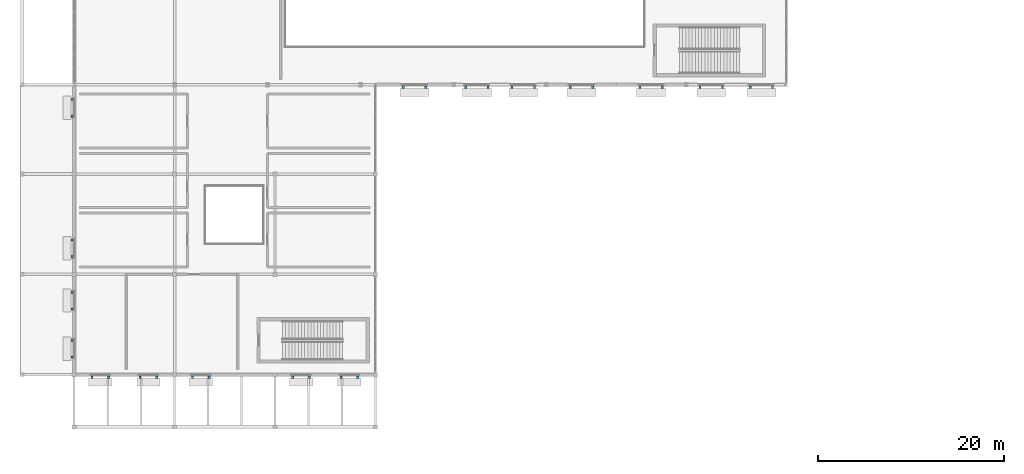
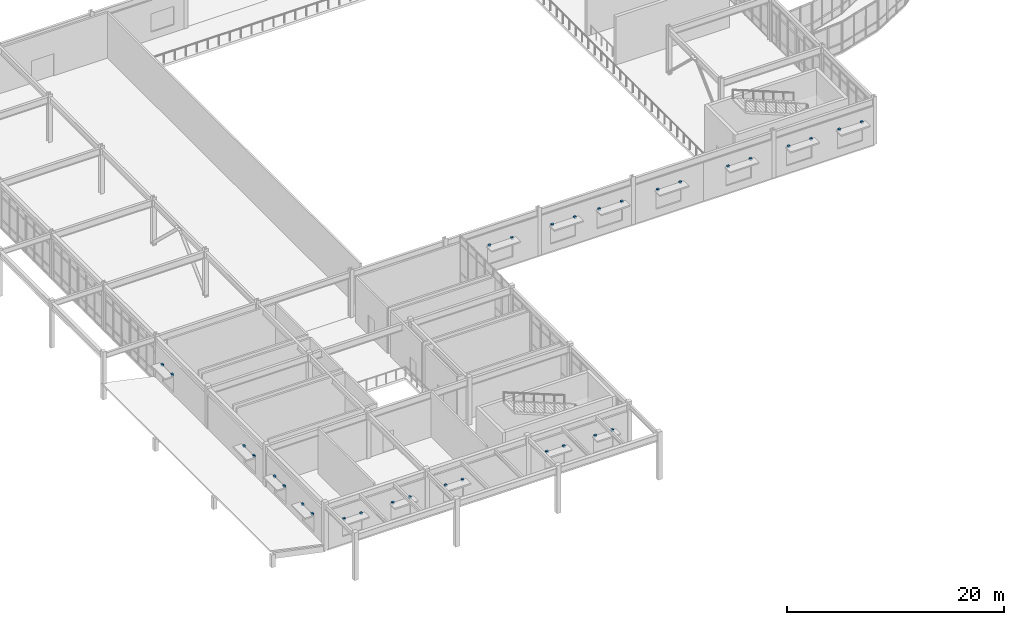
# One storey, part 58 of 72: 32 discrete accessories.
"""IFC4 building model written with IfcOpenShell, lengths in metres."""

from ifc_helpers import new_model, si_unit, direction, frame, origin, origin_2d, place, context, subcontext, project, spatial, rectangle, extrude, material, type_object, element, save


model = new_model("IFC4")

# Units and contexts
model_context = context("Model", 3, precision=1e-05, world=origin(), true_north=direction((0.0, 1.0)))
body_context = subcontext(model_context, "Body", "Model", "MODEL_VIEW")
ifc_project = project(units=[si_unit("LENGTHUNIT", "METRE"), si_unit("AREAUNIT", "SQUARE_METRE"), si_unit("VOLUMEUNIT", "CUBIC_METRE"), si_unit("PLANEANGLEUNIT", "RADIAN"), si_unit("MASSUNIT", "GRAM", prefix="KILO")], contexts=[model_context])

# Site, building, storey
site_placement = place(None, origin())
site = spatial("IfcSite", under=ifc_project, at=site_placement, CompositionType="ELEMENT")
building_placement = place(site_placement, origin())
building = spatial("IfcBuilding", under=site, at=building_placement, Name="Veldera Park Congress Hotel", CompositionType="ELEMENT")
storey_placement = place(building_placement, frame((0.0, 0.0, 5.39990234375)))
storey = spatial("IfcBuildingStorey", under=building, at=storey_placement, Name="L01", CompositionType="ELEMENT", Elevation=5.39990234375)

# Discrete accessories
ifc_material = material(Name="Steel ASTM A992 Gr.50", Category="steel")
discrete_accessory_type = type_object("IfcDiscreteAccessoryType", Name="ACC-BRK160", PredefinedType="BRACKET", material=ifc_material)
for number, where, z_axis, x_axis, name in (
    (1, (-42.8037109375, -21.27001953125, 2.97021484375), (0.0, 0.0, 1.0), (1.0, 0.0, 0.0), "Shading Steel Outrigger Bracket 32L"),
    (2, (-40.40380859375, -21.27001953125, 2.97021484375), (0.0, 0.0, 1.0), (1.0, 0.0, 0.0), "Shading Steel Outrigger Bracket 32R"),
    (3, (-36.09619140625, -21.27001953125, 2.97021484375), (0.0, 0.0, 1.0), (1.0, 0.0, 0.0), "Shading Steel Outrigger Bracket 33L"),
    (4, (-33.6962890625, -21.27001953125, 2.97021484375), (0.0, 0.0, 1.0), (1.0, 0.0, 0.0), "Shading Steel Outrigger Bracket 33R"),
    (5, (-31.103759765625, -21.27001953125, 2.97021484375), (0.0, 0.0, 1.0), (1.0, 0.0, 0.0), "Shading Steel Outrigger Bracket 34L"),
    (6, (-28.703857421875, -21.27001953125, 2.97021484375), (0.0, 0.0, 1.0), (1.0, 0.0, 0.0), "Shading Steel Outrigger Bracket 34R"),
    (7, (-24.845947265625, -21.27001953125, 2.97021484375), (0.0, 0.0, 1.0), (1.0, 0.0, 0.0), "Shading Steel Outrigger Bracket 35L"),
    (8, (-22.446044921875, -21.27001953125, 2.97021484375), (0.0, 0.0, 1.0), (1.0, 0.0, 0.0), "Shading Steel Outrigger Bracket 35R"),
    (9, (-17.35693359375, -21.27001953125, 2.97021484375), (0.0, 0.0, 1.0), (1.0, 0.0, 0.0), "Shading Steel Outrigger Bracket 36L"),
    (10, (-14.956787109375, -21.27001953125, 2.97021484375), (0.0, 0.0, 1.0), (1.0, 0.0, 0.0), "Shading Steel Outrigger Bracket 36R"),
    (11, (-10.893798828125, -21.27001953125, 2.97021484375), (0.0, 0.0, 1.0), (1.0, 0.0, 0.0), "Shading Steel Outrigger Bracket 37L"),
    (12, (-8.493896484375, -21.27001953125, 2.97021484375), (0.0, 0.0, 1.0), (1.0, 0.0, 0.0), "Shading Steel Outrigger Bracket 37R"),
    (13, (-5.50244140625, -21.27001953125, 2.97021484375), (0.0, 0.0, 1.0), (1.0, 0.0, 0.0), "Shading Steel Outrigger Bracket 38L"),
    (14, (-3.102294921875, -21.27001953125, 2.97021484375), (0.0, 0.0, 1.0), (1.0, 0.0, 0.0), "Shading Steel Outrigger Bracket 38R"),
    (15, (-78.449951171875, -22.58349609375, 2.77001953125), (0.0, 0.0, 1.0), (0.0, -1.0, 0.0), "Shading Steel Outrigger Bracket 50L"),
    (16, (-78.449951171875, -24.38330078125, 2.77001953125), (0.0, 0.0, 1.0), (0.0, -1.0, 0.0), "Shading Steel Outrigger Bracket 50R"),
    (17, (-78.449951171875, -37.6884765625, 2.77001953125), (0.0, 0.0, 1.0), (0.0, -1.0, 0.0), "Shading Steel Outrigger Bracket 51L"),
    (18, (-78.449951171875, -39.488525390625, 2.77001953125), (0.0, 0.0, 1.0), (0.0, -1.0, 0.0), "Shading Steel Outrigger Bracket 51R"),
    (19, (-78.449951171875, -43.3115234375, 2.77001953125), (0.0, 0.0, 1.0), (0.0, -1.0, 0.0), "Shading Steel Outrigger Bracket 52L"),
    (20, (-78.449951171875, -45.111572265625, 2.77001953125), (0.0, 0.0, 1.0), (0.0, -1.0, 0.0), "Shading Steel Outrigger Bracket 52R"),
    (21, (-78.449951171875, -48.488525390625, 2.77001953125), (0.0, 0.0, 1.0), (0.0, -1.0, 0.0), "Shading Steel Outrigger Bracket 53L"),
    (22, (-78.449951171875, -50.28857421875, 2.77001953125), (0.0, 0.0, 1.0), (0.0, -1.0, 0.0), "Shading Steel Outrigger Bracket 53R"),
    (23, (-76.28857421875, -52.449951171875, 2.77001953125), (0.0, 0.0, 1.0), (1.0, 0.0, 0.0), "Shading Steel Outrigger Bracket 54L"),
    (24, (-74.488525390625, -52.449951171875, 2.77001953125), (0.0, 0.0, 1.0), (1.0, 0.0, 0.0), "Shading Steel Outrigger Bracket 54R"),
    (25, (-71.111572265625, -52.449951171875, 2.77001953125), (0.0, 0.0, 1.0), (1.0, 0.0, 0.0), "Shading Steel Outrigger Bracket 55L"),
    (26, (-69.3115234375, -52.449951171875, 2.77001953125), (0.0, 0.0, 1.0), (1.0, 0.0, 0.0), "Shading Steel Outrigger Bracket 55R"),
    (27, (-65.488525390625, -52.449951171875, 2.77001953125), (0.0, 0.0, 1.0), (1.0, 0.0, 0.0), "Shading Steel Outrigger Bracket 56L"),
    (28, (-63.6884765625, -52.449951171875, 2.77001953125), (0.0, 0.0, 1.0), (1.0, 0.0, 0.0), "Shading Steel Outrigger Bracket 56R"),
    (29, (-54.6884765625, -52.449951171875, 2.77001953125), (0.0, 0.0, 1.0), (1.0, 0.0, 0.0), "Shading Steel Outrigger Bracket 57L"),
    (30, (-52.888427734375, -52.449951171875, 2.77001953125), (0.0, 0.0, 1.0), (1.0, 0.0, 0.0), "Shading Steel Outrigger Bracket 57R"),
    (31, (-49.511474609375, -52.449951171875, 2.77001953125), (0.0, 0.0, 1.0), (1.0, 0.0, 0.0), "Shading Steel Outrigger Bracket 58L"),
    (32, (-47.71142578125, -52.449951171875, 2.77001953125), (0.0, 0.0, 1.0), (1.0, 0.0, 0.0), "Shading Steel Outrigger Bracket 58R"),
):
    element("IfcDiscreteAccessory", number, at=place(storey_placement, frame(where, z_axis=z_axis, x_axis=x_axis)), inside=storey, type_object=discrete_accessory_type, Name=name, PredefinedType="BRACKET", context=body_context, shape_type="SweptSolid", body=[
        extrude(rectangle(XDim=0.239990234375, YDim=0.239990234375, at=origin_2d()), origin(), (0.0, 0.0, 1.0), 0.219970703125),
    ])

save(model, "model.ifc")
